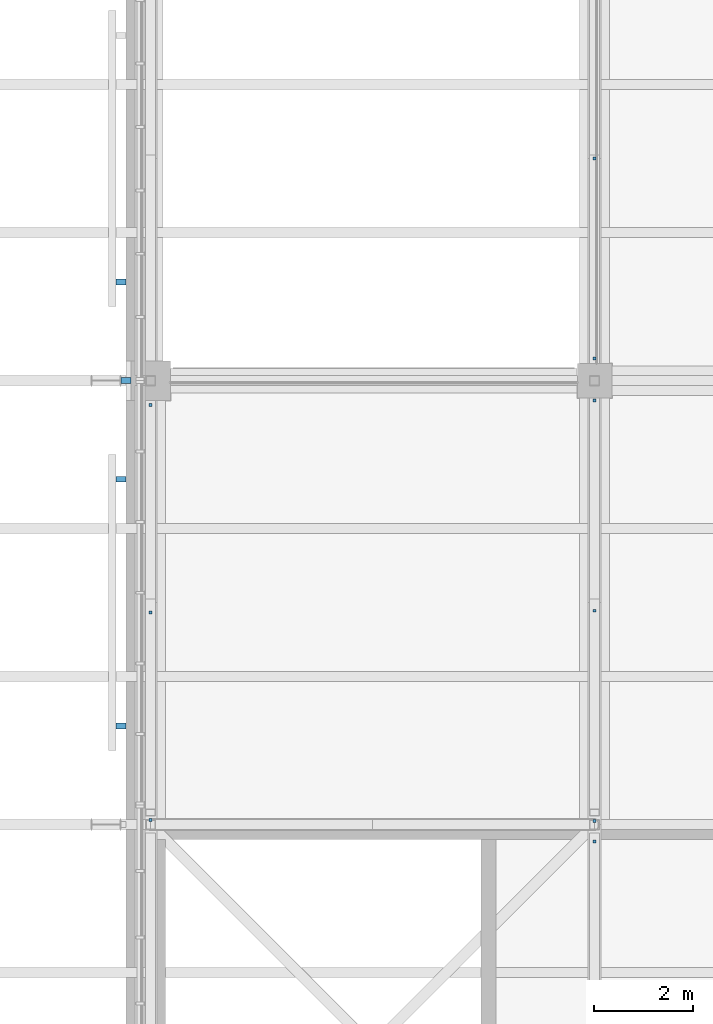
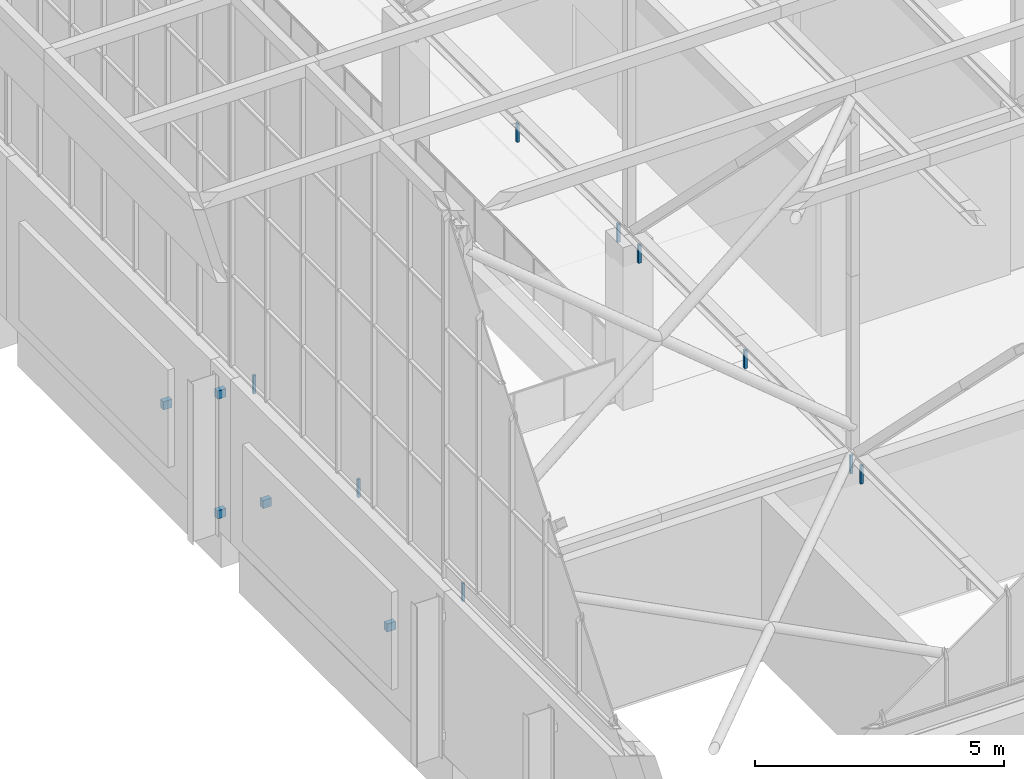
# One storey, part 178 of 646: 14 discrete accessories.
"""IFC4 building model written with IfcOpenShell, lengths in metres."""

from ifc_helpers import new_model, si_unit, direction, frame, origin, origin_2d, place, context, subcontext, project, spatial, rectangle, extrude, material, type_object, element, save


model = new_model("IFC4")

# Units and contexts
model_context = context("Model", 3, precision=1e-05, world=origin(), true_north=direction((0.0, 1.0)))
body_context = subcontext(model_context, "Body", "Model", "MODEL_VIEW")
ifc_project = project(units=[si_unit("LENGTHUNIT", "METRE"), si_unit("AREAUNIT", "SQUARE_METRE"), si_unit("VOLUMEUNIT", "CUBIC_METRE"), si_unit("PLANEANGLEUNIT", "RADIAN"), si_unit("MASSUNIT", "GRAM", prefix="KILO")], contexts=[model_context])

# Site, building, storey
site_placement = place(None, origin())
site = spatial("IfcSite", under=ifc_project, at=site_placement, CompositionType="ELEMENT")
building_placement = place(site_placement, origin())
building = spatial("IfcBuilding", under=site, at=building_placement, Name="Silverbay Arena", CompositionType="ELEMENT")
storey_placement = place(building_placement, frame((0.0, 0.0, 33.5)))
storey = spatial("IfcBuildingStorey", under=building, at=storey_placement, Name="L05", CompositionType="ELEMENT", Elevation=33.5)

# Discrete accessories
ifc_material_1 = material(Name="Steel S355", Category="steel")
discrete_accessory_type_1 = type_object("IfcDiscreteAccessoryType", Name="Ceiling hanger", PredefinedType="BRACKET", material=ifc_material_1)
for number, where, z_axis, x_axis, name in (
    (1, (63.0, 36.445068359375, 3.5498046875), (0.0, 0.0, 1.0), (1.0, 0.0, 0.0), "Ceiling hanger"),
    (2, (63.0, 40.5, 3.5498046875), (0.0, 0.0, 1.0), (1.0, 0.0, 0.0), "Ceiling hanger"),
    (3, (54.0, 27.094970703125, 3.5498046875), (0.0, 0.0, 1.0), (1.0, 0.0, 0.0), "Ceiling hanger"),
    (4, (54.0, 31.300048828125, 3.5498046875), (0.0, 0.0, 1.0), (1.0, 0.0, 0.0), "Ceiling hanger"),
    (5, (54.0, 35.5048828125, 3.5498046875), (0.0, 0.0, 1.0), (1.0, 0.0, 0.0), "Ceiling hanger"),
    (6, (63.0, 27.070068359375, 3.5498046875), (0.0, 0.0, 1.0), (1.0, 0.0, 0.0), "Ceiling hanger"),
    (7, (63.0, 31.3349609375, 3.5498046875), (0.0, 0.0, 1.0), (1.0, 0.0, 0.0), "Ceiling hanger"),
    (8, (63.0, 35.60009765625, 3.5498046875), (0.0, 0.0, 1.0), (1.0, 0.0, 0.0), "Ceiling hanger"),
    (9, (63.0, 26.659912109375, 3.5498046875), (0.0, 0.0, 1.0), (1.0, 0.0, 0.0), "Ceiling hanger"),
):
    element("IfcDiscreteAccessory", number, at=place(storey_placement, frame(where, z_axis=z_axis, x_axis=x_axis)), inside=storey, type_object=discrete_accessory_type_1, Name=name, PredefinedType="BRACKET", context=body_context, shape_type="SweptSolid", body=[
        extrude(rectangle(XDim=0.06005859375, YDim=0.06005859375, at=origin_2d()), origin(), (0.0, 0.0, 1.0), 0.449951171875),
    ])
ifc_material_2 = material(Name="Steel S355", Category="steel")
discrete_accessory_type_2 = type_object("IfcDiscreteAccessoryType", Name="Steel bracket plate", PredefinedType="BRACKET", material=ifc_material_2)
for number, where, z_axis, x_axis, name in (
    (10, (53.39990234375, 29.0, 1.89990234375), (0.0, 0.0, 1.0), (0.0, 1.0, 0.0), "Louvre support bracket"),
    (11, (53.39990234375, 34.0, 1.89990234375), (0.0, 0.0, 1.0), (0.0, 1.0, 0.0), "Louvre support bracket"),
    (12, (53.39990234375, 38.0, 1.89990234375), (0.0, 0.0, 1.0), (0.0, 1.0, 0.0), "Louvre support bracket"),
):
    element("IfcDiscreteAccessory", number, at=place(storey_placement, frame(where, z_axis=z_axis, x_axis=x_axis)), inside=storey, type_object=discrete_accessory_type_2, Name=name, PredefinedType="BRACKET", context=body_context, shape_type="SweptSolid", body=[
        extrude(rectangle(XDim=0.1201171875, YDim=0.199951171875, at=origin_2d()), origin(), (0.0, 0.0, 1.0), 0.199951171875),
    ])
for number, where, z_axis, x_axis, name in (
    (13, (53.5, 36.0, 0.39990234375), (0.0, 0.0, 1.0), (1.0, 0.0, 0.0), "Fin bracket"),
    (14, (53.5, 36.0, 3.33984375), (0.0, 0.0, 1.0), (1.0, 0.0, 0.0), "Fin bracket"),
):
    element("IfcDiscreteAccessory", number, at=place(storey_placement, frame(where, z_axis=z_axis, x_axis=x_axis)), inside=storey, type_object=discrete_accessory_type_2, Name=name, PredefinedType="BRACKET", context=body_context, shape_type="SweptSolid", body=[
        extrude(rectangle(XDim=0.199951171875, YDim=0.1201171875, at=origin_2d()), origin(), (0.0, 0.0, 1.0), 0.199951171875),
    ])

save(model, "model.ifc")
